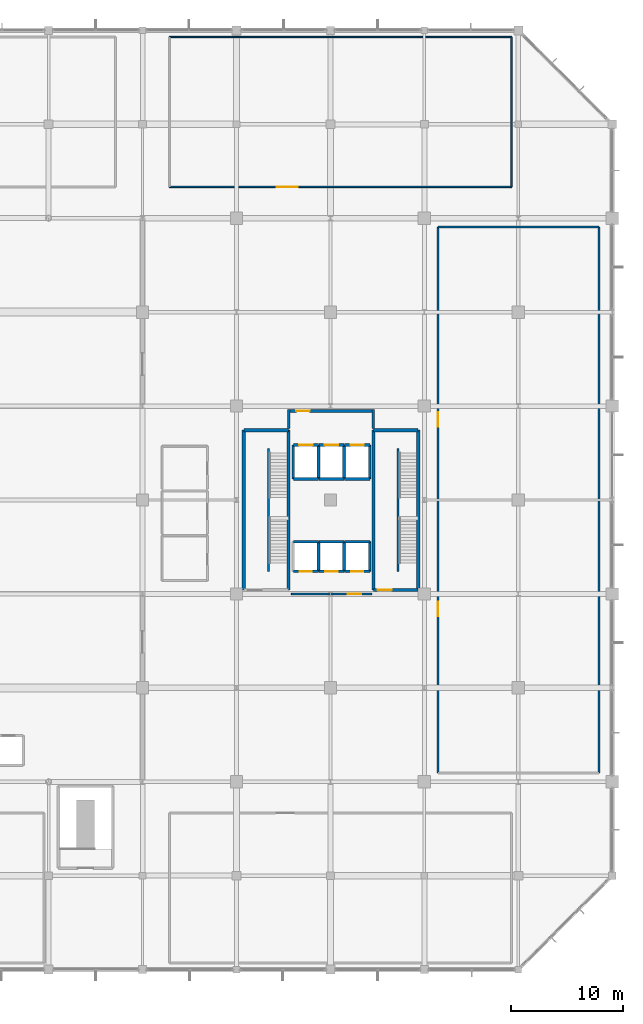
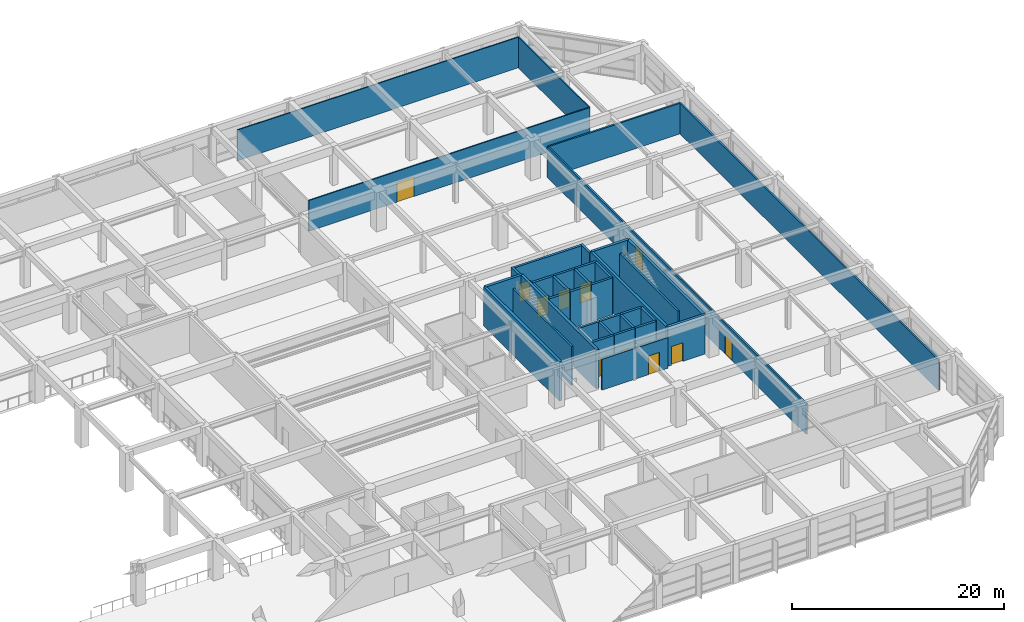
# One storey, part 47 of 56: 38 walls, 12 doors, 12 openings.
"""IFC4 building model written with IfcOpenShell, lengths in metres."""

from ifc_helpers import new_model, si_unit, direction, frame, frame_2d, origin, place, context, subcontext, project, spatial, rectangle, extrude, material, layer, layer_set, type_object, element, fill, save


model = new_model("IFC4")

# Units and contexts
model_context = context("Model", 3, precision=1e-05, world=origin(), true_north=direction((0.0, 1.0)))
body_context = subcontext(model_context, "Body", "Model", "MODEL_VIEW")
ifc_project = project(units=[si_unit("LENGTHUNIT", "METRE"), si_unit("AREAUNIT", "SQUARE_METRE"), si_unit("VOLUMEUNIT", "CUBIC_METRE"), si_unit("PLANEANGLEUNIT", "RADIAN"), si_unit("MASSUNIT", "GRAM", prefix="KILO")], contexts=[model_context])

# Site, building, storey
site_placement = place(None, origin())
site = spatial("IfcSite", under=ifc_project, at=site_placement, CompositionType="ELEMENT")
building_placement = place(site_placement, origin())
building = spatial("IfcBuilding", under=site, at=building_placement, Name="Xuanlan Plaza Opera House", CompositionType="ELEMENT")
storey_placement = place(building_placement, frame((0.0, 0.0, 18.89990234375)))
storey = spatial("IfcBuildingStorey", under=building, at=storey_placement, Name="L04", CompositionType="ELEMENT", Elevation=18.89990234375)

# Wall
ifc_material_1 = material(Name="Gypsum Board and Galvanised Steel Studs", Category="gypsum")
ifc_layer_1 = layer(ifc_material_1, 0.179931640625)
ifc_layer_set_1 = layer_set([ifc_layer_1], Name="Gypsum Board and Galvanised Steel Studs")
wall_type_1 = type_object("IfcWallType", Name="INT-WL-PW-02", PredefinedType="PARTITIONING", material=ifc_layer_set_1)
wall_1_placement = place(storey_placement, frame((152.39990234375, 83.199951171875, 0.0), z_axis=(0.0, 0.0, 1.0), x_axis=(1.0, 0.0, 0.0)))
element("IfcWall", 1, at=wall_1_placement, inside=storey, type_object=wall_type_1, Name="Performing Arts Administration Office Wall North", PredefinedType="PARTITIONING", context=body_context, shape_type="SweptSolid", body=[
    extrude(rectangle(XDim=14.400146484375, YDim=0.179931640625, at=frame_2d((7.2001953125, 0.0))), origin(), (0.0, 0.0, 1.0), 3.5400390625),
])

# Wall, openings, doors
wall_2_placement = place(storey_placement, frame((152.39990234375, 34.39990234375, 0.0), z_axis=(0.0, 0.0, 1.0), x_axis=(0.0, 1.0, 0.0)))
wall_2 = element("IfcWall", 2, at=wall_2_placement, inside=storey, type_object=wall_type_1, Name="Performing Arts Administration Office Wall West", PredefinedType="PARTITIONING", context=body_context, shape_type="SweptSolid", body=[
    extrude(rectangle(XDim=48.800048828125, YDim=0.179931640625, at=frame_2d((24.39990234375, 0.0))), origin(), (0.0, 0.0, 1.0), 3.5400390625),
])
opening_1_placement = place(wall_2_placement, frame((14.0, 0.0, 0.0)))
opening_1 = element("IfcOpeningElement", 3, at=opening_1_placement, cuts=wall_2, Name="Opening D-11", PredefinedType="OPENING", context=body_context, shape_type="SweptSolid", body=[
    extrude(rectangle(XDim=1.280029296875, YDim=2.159912109375, at=frame_2d((0.64013671875, 1.080078125))), frame((0.0, 0.099853515625, 0.0), z_axis=(0.0, -1.0, 0.0), x_axis=(1.0, 0.0, 0.0)), (0.0, 0.0, 1.0), 0.199951171875),
])
opening_2_placement = place(wall_2_placement, frame((30.949951171875, 0.0, 0.0)))
opening_2 = element("IfcOpeningElement", 4, at=opening_2_placement, cuts=wall_2, Name="Opening D-11", PredefinedType="OPENING", context=body_context, shape_type="SweptSolid", body=[
    extrude(rectangle(XDim=1.280029296875, YDim=2.159912109375, at=frame_2d((0.64013671875, 1.080078125))), frame((0.0, 0.099853515625, 0.0), z_axis=(0.0, -1.0, 0.0), x_axis=(1.0, 0.0, 0.0)), (0.0, 0.0, 1.0), 0.199951171875),
])
ifc_material_2 = material(Name="Walnut Hardwood Timber", Category="wood")
door_type_1 = type_object("IfcDoorType", Name="INT-DR-D-11", OperationType="NOTDEFINED", PredefinedType="DOOR", material=ifc_material_2)
door_1_placement = place(opening_1_placement, origin())
door_1 = element("IfcDoor", 5, at=door_1_placement, inside=storey, type_object=door_type_1, Name="Performing Arts Administration Office Door 1", OperationType="SINGLE_SWING_LEFT", OverallHeight=2.159912109375, OverallWidth=1.280029296875, PredefinedType="DOOR", context=body_context, shape_type="SweptSolid", body=[
    extrude(rectangle(XDim=1.280029296875, YDim=2.159912109375, at=frame_2d((0.64013671875, 1.080078125))), frame((0.0, 0.02490234375, 0.0), z_axis=(0.0, -1.0, 0.0), x_axis=(1.0, 0.0, 0.0)), (0.0, 0.0, 1.0), 0.050048828125),
])
fill(opening_1, door_1)
door_2_placement = place(opening_2_placement, origin())
door_2 = element("IfcDoor", 6, at=door_2_placement, inside=storey, type_object=door_type_1, Name="Performing Arts Administration Office Door 2", OperationType="SINGLE_SWING_RIGHT", OverallHeight=2.159912109375, OverallWidth=1.280029296875, PredefinedType="DOOR", context=body_context, shape_type="SweptSolid", body=[
    extrude(rectangle(XDim=1.280029296875, YDim=2.159912109375, at=frame_2d((0.64013671875, 1.080078125))), frame((0.0, 0.02490234375, 0.0), z_axis=(0.0, -1.0, 0.0), x_axis=(1.0, 0.0, 0.0)), (0.0, 0.0, 1.0), 0.050048828125),
])
fill(opening_2, door_2)

# Wall
wall_3_placement = place(storey_placement, frame((166.800048828125, 34.39990234375, 0.0), z_axis=(0.0, 0.0, 1.0), x_axis=(0.0, 1.0, 0.0)))
element("IfcWall", 7, at=wall_3_placement, inside=storey, type_object=wall_type_1, Name="Performing Arts Administration Office Wall East", PredefinedType="PARTITIONING", context=body_context, shape_type="SweptSolid", body=[
    extrude(rectangle(XDim=48.800048828125, YDim=0.179931640625, at=frame_2d((24.39990234375, 0.0))), origin(), (0.0, 0.0, 1.0), 3.5400390625),
])

# Wall, opening, door
ifc_layer_2 = layer(ifc_material_1, 0.1201171875)
ifc_layer_set_2 = layer_set([ifc_layer_2], Name="Gypsum Board and Galvanised Steel Studs")
wall_type_2 = type_object("IfcWallType", Name="INT-WL-PW-04", PredefinedType="PARTITIONING", material=ifc_layer_set_2)
wall_4_placement = place(storey_placement, frame((128.39990234375, 86.800048828125, 0.0), z_axis=(0.0, 0.0, 1.0), x_axis=(1.0, 0.0, 0.0)))
wall_4 = element("IfcWall", 8, at=wall_4_placement, inside=storey, type_object=wall_type_2, Name="Arts Endowment Archive Wall South", PredefinedType="PARTITIONING", context=body_context, shape_type="SweptSolid", body=[
    extrude(rectangle(XDim=30.60009765625, YDim=0.1201171875, at=frame_2d((15.300048828125, 0.0))), origin(), (0.0, 0.0, 1.0), 3.5400390625),
])
opening_3_placement = place(wall_4_placement, frame((9.60009765625, 0.0, 0.0)))
opening_3 = element("IfcOpeningElement", 9, at=opening_3_placement, cuts=wall_4, Name="Opening D-15", PredefinedType="OPENING", context=body_context, shape_type="SweptSolid", body=[
    extrude(rectangle(XDim=1.860107421875, YDim=2.260009765625, at=frame_2d((0.93017578125, 1.1298828125))), frame((0.0, 0.070068359375, 0.0), z_axis=(0.0, -1.0, 0.0), x_axis=(1.0, 0.0, 0.0)), (0.0, 0.0, 1.0), 0.14013671875),
])
door_type_2 = type_object("IfcDoorType", Name="INT-DR-D-15", OperationType="DOUBLE_DOOR_SINGLE_SWING", PredefinedType="DOOR", material=ifc_material_2)
door_3_placement = place(opening_3_placement, origin())
door_3 = element("IfcDoor", 10, at=door_3_placement, inside=storey, type_object=door_type_2, Name="Arts Endowment Archive Door 1", OperationType="DOUBLE_DOOR_SINGLE_SWING", OverallHeight=2.260009765625, OverallWidth=1.860107421875, PredefinedType="DOOR", context=body_context, shape_type="SweptSolid", body=[
    extrude(rectangle(XDim=1.860107421875, YDim=2.260009765625, at=frame_2d((0.93017578125, 1.1298828125))), frame((0.0, 0.02490234375, 0.0), z_axis=(0.0, -1.0, 0.0), x_axis=(1.0, 0.0, 0.0)), (0.0, 0.0, 1.0), 0.050048828125),
])
fill(opening_3, door_3)

# Walls
wall_5_placement = place(storey_placement, frame((128.39990234375, 100.199951171875, 0.0), z_axis=(0.0, 0.0, 1.0), x_axis=(1.0, 0.0, 0.0)))
element("IfcWall", 11, at=wall_5_placement, inside=storey, type_object=wall_type_2, Name="Arts Endowment Archive Wall North", PredefinedType="PARTITIONING", context=body_context, shape_type="SweptSolid", body=[
    extrude(rectangle(XDim=30.60009765625, YDim=0.1201171875, at=frame_2d((15.300048828125, 0.0))), origin(), (0.0, 0.0, 1.0), 3.5400390625),
])
wall_6_placement = place(storey_placement, frame((159.0, 86.800048828125, 0.0), z_axis=(0.0, 0.0, 1.0), x_axis=(0.0, 1.0, 0.0)))
element("IfcWall", 12, at=wall_6_placement, inside=storey, type_object=wall_type_2, Name="Arts Endowment Archive Wall East", PredefinedType="PARTITIONING", context=body_context, shape_type="SweptSolid", body=[
    extrude(rectangle(XDim=13.39990234375, YDim=0.1201171875, at=frame_2d((6.699951171875, 0.0))), origin(), (0.0, 0.0, 1.0), 3.5400390625),
])

# Wall, opening, door
ifc_layer_3 = layer(ifc_material_1, 0.159912109375)
ifc_layer_set_3 = layer_set([ifc_layer_3], Name="Gypsum Board and Galvanised Steel Studs")
wall_type_3 = type_object("IfcWallType", Name="INT-WL-PW-05", PredefinedType="PARTITIONING", material=ifc_layer_set_3)
wall_7_placement = place(storey_placement, frame((139.300048828125, 50.39990234375, 0.0), z_axis=(0.0, 0.0, 1.0), x_axis=(1.0, 0.0, 0.0)))
wall_7 = element("IfcWall", 13, at=wall_7_placement, inside=storey, type_object=wall_type_3, Name="Tower Lift Lobby Wall South", PredefinedType="PARTITIONING", context=body_context, shape_type="SweptSolid", body=[
    extrude(rectangle(XDim=7.199951171875, YDim=0.159912109375, at=frame_2d((3.60009765625, 0.0))), origin(), (0.0, 0.0, 1.0), 3.5400390625),
])
opening_4_placement = place(wall_7_placement, frame((5.050048828125, 0.0, 0.0)))
opening_4 = element("IfcOpeningElement", 14, at=opening_4_placement, cuts=wall_7, Name="Opening FD-02", PredefinedType="OPENING", context=body_context, shape_type="SweptSolid", body=[
    extrude(rectangle(XDim=1.199951171875, YDim=2.14990234375, at=frame_2d((0.60009765625, 1.074951171875))), frame((0.0, 0.08984375, 0.0), z_axis=(0.0, -1.0, 0.0), x_axis=(1.0, 0.0, 0.0)), (0.0, 0.0, 1.0), 0.179931640625),
])
ifc_material_3 = material(Name="Galvanised Steel Q235B", Category="steel")
door_type_3 = type_object("IfcDoorType", Name="INT-DR-FD-02", OperationType="NOTDEFINED", PredefinedType="DOOR", material=ifc_material_3)
door_4_placement = place(opening_4_placement, frame((1.199951171875, 0.0, 0.0), z_axis=(0.0, 0.0, 1.0), x_axis=(-1.0, 0.0, 0.0)))
door_4 = element("IfcDoor", 15, at=door_4_placement, inside=storey, type_object=door_type_3, Name="Tower Lift Lobby Door 1", OperationType="SINGLE_SWING_RIGHT", OverallHeight=2.14990234375, OverallWidth=1.199951171875, PredefinedType="DOOR", context=body_context, shape_type="SweptSolid", body=[
    extrude(rectangle(XDim=1.199951171875, YDim=2.14990234375, at=frame_2d((0.60009765625, 1.074951171875))), frame((0.0, 0.02490234375, 0.0), z_axis=(0.0, -1.0, 0.0), x_axis=(1.0, 0.0, 0.0)), (0.0, 0.0, 1.0), 0.050048828125),
])
fill(opening_4, door_4)

# Wall
ifc_material_4 = material(Name="Concrete C40", Category="concrete")
ifc_layer_4 = layer(ifc_material_4, 0.25)
ifc_layer_set_4 = layer_set([ifc_layer_4], Name="Concrete C40")
wall_type_4 = type_object("IfcWallType", Name="INT-WL-SW-LF1", PredefinedType="SHEAR", material=ifc_layer_set_4)
wall_8_placement = place(storey_placement, frame((139.47509765625, 60.675048828125, 0.0), z_axis=(0.0, 0.0, 1.0), x_axis=(1.0, 0.0, 0.0)))
element("IfcWall", 16, at=wall_8_placement, inside=storey, type_object=wall_type_4, Name="Lift Shaft Wall LF-FF1 L04 South", PredefinedType="SHEAR", context=body_context, shape_type="SweptSolid", body=[
    extrude(rectangle(XDim=2.25, YDim=0.25, at=frame_2d((1.125, 0.0))), origin(), (0.0, 0.0, 1.0), 4.239990234375),
])

# Wall, opening, door
wall_9_placement = place(storey_placement, frame((139.47509765625, 63.72509765625, 0.0), z_axis=(0.0, 0.0, 1.0), x_axis=(1.0, 0.0, 0.0)))
wall_9 = element("IfcWall", 17, at=wall_9_placement, inside=storey, type_object=wall_type_4, Name="Lift Shaft Wall LF-FF1 L04 North", PredefinedType="SHEAR", context=body_context, shape_type="SweptSolid", body=[
    extrude(rectangle(XDim=2.25, YDim=0.25, at=frame_2d((1.125, 0.0))), origin(), (0.0, 0.0, 1.0), 4.239990234375),
])
opening_5_placement = place(wall_9_placement, frame((0.52490234375, 0.0, 0.0)))
opening_5 = element("IfcOpeningElement", 18, at=opening_5_placement, cuts=wall_9, Name="Opening LD-FF1-L04", PredefinedType="OPENING", context=body_context, shape_type="SweptSolid", body=[
    extrude(rectangle(XDim=1.199951171875, YDim=2.179931640625, at=frame_2d((0.60009765625, 1.08984375))), frame((0.0, 0.135009765625, 0.0), z_axis=(0.0, -1.0, 0.0), x_axis=(1.0, 0.0, 0.0)), (0.0, 0.0, 1.0), 0.27001953125),
])
ifc_material_5 = material(Name="Stainless Steel S30408", Category="steel")
door_type_4 = type_object("IfcDoorType", Name="INT-DR-LD-02", OperationType="DOUBLE_DOOR_SLIDING", PredefinedType="DOOR", material=ifc_material_5)
door_5_placement = place(opening_5_placement, origin())
door_5 = element("IfcDoor", 19, at=door_5_placement, inside=storey, type_object=door_type_4, Name="Lift Sliding Landing Door LF-FF1 L04", OperationType="DOUBLE_DOOR_SLIDING", OverallHeight=2.179931640625, OverallWidth=1.199951171875, PredefinedType="DOOR", context=body_context, shape_type="SweptSolid", body=[
    extrude(rectangle(XDim=1.199951171875, YDim=2.179931640625, at=frame_2d((0.60009765625, 1.08984375))), frame((0.0, 0.02490234375, 0.0), z_axis=(0.0, -1.0, 0.0), x_axis=(1.0, 0.0, 0.0)), (0.0, 0.0, 1.0), 0.050048828125),
])
fill(opening_5, door_5)

# Walls
for number, where, z_axis, x_axis, name in (
    (20, (139.47509765625, 60.675048828125, 0.0), (0.0, 0.0, 1.0), (0.0, 1.0, 0.0), "Lift Shaft Wall LF-FF1 L04 West"),
    (21, (141.72509765625, 60.675048828125, 0.0), (0.0, 0.0, 1.0), (0.0, 1.0, 0.0), "Lift Shaft Wall LF-FF1 L04 East"),
):
    element("IfcWall", number, at=place(storey_placement, frame(where, z_axis=z_axis, x_axis=x_axis)), inside=storey, type_object=wall_type_4, Name=name, PredefinedType="SHEAR", context=body_context, shape_type="SweptSolid", body=[
        extrude(rectangle(XDim=3.050048828125, YDim=0.25, at=frame_2d((1.52490234375, 0.0))), origin(), (0.0, 0.0, 1.0), 4.239990234375),
    ])
wall_10_placement = place(storey_placement, frame((141.77490234375, 60.675048828125, 0.0), z_axis=(0.0, 0.0, 1.0), x_axis=(1.0, 0.0, 0.0)))
element("IfcWall", 22, at=wall_10_placement, inside=storey, type_object=wall_type_4, Name="Lift Shaft Wall LF-FF2 L04 South", PredefinedType="SHEAR", context=body_context, shape_type="SweptSolid", body=[
    extrude(rectangle(XDim=2.25, YDim=0.25, at=frame_2d((1.125, 0.0))), origin(), (0.0, 0.0, 1.0), 4.239990234375),
])

# Wall, opening, door
wall_11_placement = place(storey_placement, frame((141.77490234375, 63.72509765625, 0.0), z_axis=(0.0, 0.0, 1.0), x_axis=(1.0, 0.0, 0.0)))
wall_11 = element("IfcWall", 23, at=wall_11_placement, inside=storey, type_object=wall_type_4, Name="Lift Shaft Wall LF-FF2 L04 North", PredefinedType="SHEAR", context=body_context, shape_type="SweptSolid", body=[
    extrude(rectangle(XDim=2.25, YDim=0.25, at=frame_2d((1.125, 0.0))), origin(), (0.0, 0.0, 1.0), 4.239990234375),
])
opening_6_placement = place(wall_11_placement, frame((0.52490234375, 0.0, 0.0)))
opening_6 = element("IfcOpeningElement", 24, at=opening_6_placement, cuts=wall_11, Name="Opening LD-FF2-L04", PredefinedType="OPENING", context=body_context, shape_type="SweptSolid", body=[
    extrude(rectangle(XDim=1.199951171875, YDim=2.179931640625, at=frame_2d((0.60009765625, 1.08984375))), frame((0.0, 0.135009765625, 0.0), z_axis=(0.0, -1.0, 0.0), x_axis=(1.0, 0.0, 0.0)), (0.0, 0.0, 1.0), 0.27001953125),
])
door_6_placement = place(opening_6_placement, origin())
door_6 = element("IfcDoor", 25, at=door_6_placement, inside=storey, type_object=door_type_4, Name="Lift Sliding Landing Door LF-FF2 L04", OperationType="DOUBLE_DOOR_SLIDING", OverallHeight=2.179931640625, OverallWidth=1.199951171875, PredefinedType="DOOR", context=body_context, shape_type="SweptSolid", body=[
    extrude(rectangle(XDim=1.199951171875, YDim=2.179931640625, at=frame_2d((0.60009765625, 1.08984375))), frame((0.0, 0.02490234375, 0.0), z_axis=(0.0, -1.0, 0.0), x_axis=(1.0, 0.0, 0.0)), (0.0, 0.0, 1.0), 0.050048828125),
])
fill(opening_6, door_6)

# Walls
wall_12_placement = place(storey_placement, frame((144.02490234375, 60.675048828125, 0.0), z_axis=(0.0, 0.0, 1.0), x_axis=(0.0, 1.0, 0.0)))
element("IfcWall", 26, at=wall_12_placement, inside=storey, type_object=wall_type_4, Name="Lift Shaft Wall LF-FF2 L04 East", PredefinedType="SHEAR", context=body_context, shape_type="SweptSolid", body=[
    extrude(rectangle(XDim=3.050048828125, YDim=0.25, at=frame_2d((1.52490234375, 0.0))), origin(), (0.0, 0.0, 1.0), 4.239990234375),
])
wall_13_placement = place(storey_placement, frame((144.074951171875, 60.675048828125, 0.0), z_axis=(0.0, 0.0, 1.0), x_axis=(1.0, 0.0, 0.0)))
element("IfcWall", 27, at=wall_13_placement, inside=storey, type_object=wall_type_4, Name="Lift Shaft Wall LF-FF3 L04 South", PredefinedType="SHEAR", context=body_context, shape_type="SweptSolid", body=[
    extrude(rectangle(XDim=2.25, YDim=0.25, at=frame_2d((1.125, 0.0))), origin(), (0.0, 0.0, 1.0), 4.239990234375),
])

# Wall, opening, door
wall_14_placement = place(storey_placement, frame((144.074951171875, 63.72509765625, 0.0), z_axis=(0.0, 0.0, 1.0), x_axis=(1.0, 0.0, 0.0)))
wall_14 = element("IfcWall", 28, at=wall_14_placement, inside=storey, type_object=wall_type_4, Name="Lift Shaft Wall LF-FF3 L04 North", PredefinedType="SHEAR", context=body_context, shape_type="SweptSolid", body=[
    extrude(rectangle(XDim=2.25, YDim=0.25, at=frame_2d((1.125, 0.0))), origin(), (0.0, 0.0, 1.0), 4.239990234375),
])
opening_7_placement = place(wall_14_placement, frame((0.52490234375, 0.0, 0.0)))
opening_7 = element("IfcOpeningElement", 29, at=opening_7_placement, cuts=wall_14, Name="Opening LD-FF3-L04", PredefinedType="OPENING", context=body_context, shape_type="SweptSolid", body=[
    extrude(rectangle(XDim=1.199951171875, YDim=2.179931640625, at=frame_2d((0.60009765625, 1.08984375))), frame((0.0, 0.135009765625, 0.0), z_axis=(0.0, -1.0, 0.0), x_axis=(1.0, 0.0, 0.0)), (0.0, 0.0, 1.0), 0.27001953125),
])
door_7_placement = place(opening_7_placement, origin())
door_7 = element("IfcDoor", 30, at=door_7_placement, inside=storey, type_object=door_type_4, Name="Lift Sliding Landing Door LF-FF3 L04", OperationType="DOUBLE_DOOR_SLIDING", OverallHeight=2.179931640625, OverallWidth=1.199951171875, PredefinedType="DOOR", context=body_context, shape_type="SweptSolid", body=[
    extrude(rectangle(XDim=1.199951171875, YDim=2.179931640625, at=frame_2d((0.60009765625, 1.08984375))), frame((0.0, 0.02490234375, 0.0), z_axis=(0.0, -1.0, 0.0), x_axis=(1.0, 0.0, 0.0)), (0.0, 0.0, 1.0), 0.050048828125),
])
fill(opening_7, door_7)

# Wall
wall_15_placement = place(storey_placement, frame((146.324951171875, 60.675048828125, 0.0), z_axis=(0.0, 0.0, 1.0), x_axis=(0.0, 1.0, 0.0)))
element("IfcWall", 31, at=wall_15_placement, inside=storey, type_object=wall_type_4, Name="Lift Shaft Wall LF-FF3 L04 East", PredefinedType="SHEAR", context=body_context, shape_type="SweptSolid", body=[
    extrude(rectangle(XDim=3.050048828125, YDim=0.25, at=frame_2d((1.52490234375, 0.0))), origin(), (0.0, 0.0, 1.0), 4.239990234375),
])

# Wall, opening, door
wall_16_placement = place(storey_placement, frame((139.47509765625, 52.425048828125, 0.0), z_axis=(0.0, 0.0, 1.0), x_axis=(1.0, 0.0, 0.0)))
wall_16 = element("IfcWall", 32, at=wall_16_placement, inside=storey, type_object=wall_type_4, Name="Lift Shaft Wall LF-P1 L04 South", PredefinedType="SHEAR", context=body_context, shape_type="SweptSolid", body=[
    extrude(rectangle(XDim=2.25, YDim=0.25, at=frame_2d((1.125, 0.0))), origin(), (0.0, 0.0, 1.0), 4.239990234375),
])
opening_8_placement = place(wall_16_placement, frame((0.574951171875, 0.0, 0.0)))
opening_8 = element("IfcOpeningElement", 33, at=opening_8_placement, cuts=wall_16, Name="Opening LD-P1-L04", PredefinedType="OPENING", context=body_context, shape_type="SweptSolid", body=[
    extrude(rectangle(XDim=1.10009765625, YDim=2.14990234375, at=frame_2d((0.550048828125, 1.074951171875))), frame((0.0, 0.135009765625, 0.0), z_axis=(0.0, -1.0, 0.0), x_axis=(1.0, 0.0, 0.0)), (0.0, 0.0, 1.0), 0.27001953125),
])
door_type_5 = type_object("IfcDoorType", Name="INT-DR-LD-01", OperationType="DOUBLE_DOOR_SLIDING", PredefinedType="DOOR", material=ifc_material_5)
door_8_placement = place(opening_8_placement, origin())
door_8 = element("IfcDoor", 34, at=door_8_placement, inside=storey, type_object=door_type_5, Name="Lift Sliding Landing Door LF-P1 L04", OperationType="DOUBLE_DOOR_SLIDING", OverallHeight=2.14990234375, OverallWidth=1.10009765625, PredefinedType="DOOR", context=body_context, shape_type="SweptSolid", body=[
    extrude(rectangle(XDim=1.10009765625, YDim=2.14990234375, at=frame_2d((0.550048828125, 1.074951171875))), frame((0.0, 0.02490234375, 0.0), z_axis=(0.0, -1.0, 0.0), x_axis=(1.0, 0.0, 0.0)), (0.0, 0.0, 1.0), 0.050048828125),
])
fill(opening_8, door_8)

# Walls
wall_17_placement = place(storey_placement, frame((139.47509765625, 55.074951171875, 0.0), z_axis=(0.0, 0.0, 1.0), x_axis=(1.0, 0.0, 0.0)))
element("IfcWall", 35, at=wall_17_placement, inside=storey, type_object=wall_type_4, Name="Lift Shaft Wall LF-P1 L04 North", PredefinedType="SHEAR", context=body_context, shape_type="SweptSolid", body=[
    extrude(rectangle(XDim=2.25, YDim=0.25, at=frame_2d((1.125, 0.0))), origin(), (0.0, 0.0, 1.0), 4.239990234375),
])
wall_18_placement = place(storey_placement, frame((141.72509765625, 52.425048828125, 0.0), z_axis=(0.0, 0.0, 1.0), x_axis=(0.0, 1.0, 0.0)))
element("IfcWall", 36, at=wall_18_placement, inside=storey, type_object=wall_type_4, Name="Lift Shaft Wall LF-P1 L04 East", PredefinedType="SHEAR", context=body_context, shape_type="SweptSolid", body=[
    extrude(rectangle(XDim=2.64990234375, YDim=0.25, at=frame_2d((1.324951171875, 0.0))), origin(), (0.0, 0.0, 1.0), 4.239990234375),
])

# Wall, opening, door
wall_19_placement = place(storey_placement, frame((141.77490234375, 52.425048828125, 0.0), z_axis=(0.0, 0.0, 1.0), x_axis=(1.0, 0.0, 0.0)))
wall_19 = element("IfcWall", 37, at=wall_19_placement, inside=storey, type_object=wall_type_4, Name="Lift Shaft Wall LF-P2 L04 South", PredefinedType="SHEAR", context=body_context, shape_type="SweptSolid", body=[
    extrude(rectangle(XDim=2.25, YDim=0.25, at=frame_2d((1.125, 0.0))), origin(), (0.0, 0.0, 1.0), 4.239990234375),
])
opening_9_placement = place(wall_19_placement, frame((0.574951171875, 0.0, 0.0)))
opening_9 = element("IfcOpeningElement", 38, at=opening_9_placement, cuts=wall_19, Name="Opening LD-P2-L04", PredefinedType="OPENING", context=body_context, shape_type="SweptSolid", body=[
    extrude(rectangle(XDim=1.10009765625, YDim=2.14990234375, at=frame_2d((0.550048828125, 1.074951171875))), frame((0.0, 0.135009765625, 0.0), z_axis=(0.0, -1.0, 0.0), x_axis=(1.0, 0.0, 0.0)), (0.0, 0.0, 1.0), 0.27001953125),
])
door_9_placement = place(opening_9_placement, origin())
door_9 = element("IfcDoor", 39, at=door_9_placement, inside=storey, type_object=door_type_5, Name="Lift Sliding Landing Door LF-P2 L04", OperationType="DOUBLE_DOOR_SLIDING", OverallHeight=2.14990234375, OverallWidth=1.10009765625, PredefinedType="DOOR", context=body_context, shape_type="SweptSolid", body=[
    extrude(rectangle(XDim=1.10009765625, YDim=2.14990234375, at=frame_2d((0.550048828125, 1.074951171875))), frame((0.0, 0.02490234375, 0.0), z_axis=(0.0, -1.0, 0.0), x_axis=(1.0, 0.0, 0.0)), (0.0, 0.0, 1.0), 0.050048828125),
])
fill(opening_9, door_9)

# Walls
wall_20_placement = place(storey_placement, frame((141.77490234375, 55.074951171875, 0.0), z_axis=(0.0, 0.0, 1.0), x_axis=(1.0, 0.0, 0.0)))
element("IfcWall", 40, at=wall_20_placement, inside=storey, type_object=wall_type_4, Name="Lift Shaft Wall LF-P2 L04 North", PredefinedType="SHEAR", context=body_context, shape_type="SweptSolid", body=[
    extrude(rectangle(XDim=2.25, YDim=0.25, at=frame_2d((1.125, 0.0))), origin(), (0.0, 0.0, 1.0), 4.239990234375),
])
wall_21_placement = place(storey_placement, frame((144.02490234375, 52.425048828125, 0.0), z_axis=(0.0, 0.0, 1.0), x_axis=(0.0, 1.0, 0.0)))
element("IfcWall", 41, at=wall_21_placement, inside=storey, type_object=wall_type_4, Name="Lift Shaft Wall LF-P2 L04 East", PredefinedType="SHEAR", context=body_context, shape_type="SweptSolid", body=[
    extrude(rectangle(XDim=2.64990234375, YDim=0.25, at=frame_2d((1.324951171875, 0.0))), origin(), (0.0, 0.0, 1.0), 4.239990234375),
])

# Wall, opening, door
wall_22_placement = place(storey_placement, frame((144.074951171875, 52.425048828125, 0.0), z_axis=(0.0, 0.0, 1.0), x_axis=(1.0, 0.0, 0.0)))
wall_22 = element("IfcWall", 42, at=wall_22_placement, inside=storey, type_object=wall_type_4, Name="Lift Shaft Wall LF-P3 L04 South", PredefinedType="SHEAR", context=body_context, shape_type="SweptSolid", body=[
    extrude(rectangle(XDim=2.25, YDim=0.25, at=frame_2d((1.125, 0.0))), origin(), (0.0, 0.0, 1.0), 4.239990234375),
])
opening_10_placement = place(wall_22_placement, frame((0.574951171875, 0.0, 0.0)))
opening_10 = element("IfcOpeningElement", 43, at=opening_10_placement, cuts=wall_22, Name="Opening LD-P3-L04", PredefinedType="OPENING", context=body_context, shape_type="SweptSolid", body=[
    extrude(rectangle(XDim=1.10009765625, YDim=2.14990234375, at=frame_2d((0.550048828125, 1.074951171875))), frame((0.0, 0.135009765625, 0.0), z_axis=(0.0, -1.0, 0.0), x_axis=(1.0, 0.0, 0.0)), (0.0, 0.0, 1.0), 0.27001953125),
])
door_10_placement = place(opening_10_placement, origin())
door_10 = element("IfcDoor", 44, at=door_10_placement, inside=storey, type_object=door_type_5, Name="Lift Sliding Landing Door LF-P3 L04", OperationType="DOUBLE_DOOR_SLIDING", OverallHeight=2.14990234375, OverallWidth=1.10009765625, PredefinedType="DOOR", context=body_context, shape_type="SweptSolid", body=[
    extrude(rectangle(XDim=1.10009765625, YDim=2.14990234375, at=frame_2d((0.550048828125, 1.074951171875))), frame((0.0, 0.02490234375, 0.0), z_axis=(0.0, -1.0, 0.0), x_axis=(1.0, 0.0, 0.0)), (0.0, 0.0, 1.0), 0.050048828125),
])
fill(opening_10, door_10)

# Walls
wall_23_placement = place(storey_placement, frame((144.074951171875, 55.074951171875, 0.0), z_axis=(0.0, 0.0, 1.0), x_axis=(1.0, 0.0, 0.0)))
element("IfcWall", 45, at=wall_23_placement, inside=storey, type_object=wall_type_4, Name="Lift Shaft Wall LF-P3 L04 North", PredefinedType="SHEAR", context=body_context, shape_type="SweptSolid", body=[
    extrude(rectangle(XDim=2.25, YDim=0.25, at=frame_2d((1.125, 0.0))), origin(), (0.0, 0.0, 1.0), 4.239990234375),
])
wall_24_placement = place(storey_placement, frame((146.324951171875, 52.425048828125, 0.0), z_axis=(0.0, 0.0, 1.0), x_axis=(0.0, 1.0, 0.0)))
element("IfcWall", 46, at=wall_24_placement, inside=storey, type_object=wall_type_4, Name="Lift Shaft Wall LF-P3 L04 East", PredefinedType="SHEAR", context=body_context, shape_type="SweptSolid", body=[
    extrude(rectangle(XDim=2.64990234375, YDim=0.25, at=frame_2d((1.324951171875, 0.0))), origin(), (0.0, 0.0, 1.0), 4.239990234375),
])
for number, where, z_axis, x_axis, name in (
    (47, (139.074951171875, 65.199951171875, 0.0), (0.0, 0.0, 1.0), (0.0, 1.0, 0.0), "Firefighting Lift Lobby Enclosure Wall L04 W"),
    (48, (146.625, 65.199951171875, 0.0), (0.0, 0.0, 1.0), (0.0, 1.0, 0.0), "Firefighting Lift Lobby Enclosure Wall L04 E"),
):
    element("IfcWall", number, at=place(storey_placement, frame(where, z_axis=z_axis, x_axis=x_axis)), inside=storey, type_object=wall_type_4, Name=name, PredefinedType="SHEAR", context=body_context, shape_type="SweptSolid", body=[
        extrude(rectangle(XDim=1.675048828125, YDim=0.25, at=frame_2d((0.83740234375, 0.0))), origin(), (0.0, 0.0, 1.0), 4.239990234375),
    ])

# Wall, opening, door
wall_25_placement = place(storey_placement, frame((139.199951171875, 66.75, 0.0), z_axis=(0.0, 0.0, 1.0), x_axis=(1.0, 0.0, 0.0)))
wall_25 = element("IfcWall", 49, at=wall_25_placement, inside=storey, type_object=wall_type_4, Name="Firefighting Lift Lobby Wall North", PredefinedType="SHEAR", context=body_context, shape_type="SweptSolid", body=[
    extrude(rectangle(XDim=7.300048828125, YDim=0.25, at=frame_2d((3.64990234375, 0.0))), origin(), (0.0, 0.0, 1.0), 4.22021484375),
])
opening_11_placement = place(wall_25_placement, frame((0.550048828125, 0.0, 0.0)))
opening_11 = element("IfcOpeningElement", 50, at=opening_11_placement, cuts=wall_25, Name="Opening FD-02", PredefinedType="OPENING", context=body_context, shape_type="SweptSolid", body=[
    extrude(rectangle(XDim=1.199951171875, YDim=2.14990234375, at=frame_2d((0.60009765625, 1.074951171875))), frame((0.0, 0.135009765625, 0.0), z_axis=(0.0, -1.0, 0.0), x_axis=(1.0, 0.0, 0.0)), (0.0, 0.0, 1.0), 0.27001953125),
])
door_11_placement = place(opening_11_placement, origin())
door_11 = element("IfcDoor", 51, at=door_11_placement, inside=storey, type_object=door_type_3, Name="Firefighting Lift Lobby Door 1", OperationType="SINGLE_SWING_RIGHT", OverallHeight=2.14990234375, OverallWidth=1.199951171875, PredefinedType="DOOR", context=body_context, shape_type="SweptSolid", body=[
    extrude(rectangle(XDim=1.199951171875, YDim=2.14990234375, at=frame_2d((0.60009765625, 1.074951171875))), frame((0.0, 0.02490234375, 0.0), z_axis=(0.0, -1.0, 0.0), x_axis=(1.0, 0.0, 0.0)), (0.0, 0.0, 1.0), 0.050048828125),
])
fill(opening_11, door_11)

# Walls
ifc_layer_5 = layer(ifc_material_4, 0.199951171875)
ifc_layer_set_5 = layer_set([ifc_layer_5], Name="Concrete C40")
wall_type_5 = type_object("IfcWallType", Name="INT-WL-SW-SPN", PredefinedType="SHEAR", material=ifc_layer_set_5)
for number, where, z_axis, x_axis, name in (
    (52, (137.25, 52.39990234375, 0.0), (0.0, 0.0, 1.0), (0.0, 1.0, 0.0), "Stair Structural Spine Wall ST-T1 L04"),
    (53, (148.85009765625, 52.39990234375, 0.0), (0.0, 0.0, 1.0), (0.0, 1.0, 0.0), "Stair Structural Spine Wall ST-T2 L04"),
):
    element("IfcWall", number, at=place(storey_placement, frame(where, z_axis=z_axis, x_axis=x_axis)), inside=storey, type_object=wall_type_5, Name=name, PredefinedType="SHEAR", context=body_context, shape_type="SweptSolid", body=[
        extrude(rectangle(XDim=11.0, YDim=0.199951171875, at=frame_2d((5.5, 0.0))), origin(), (0.0, 0.0, 1.0), 4.5),
    ])
ifc_layer_6 = layer(ifc_material_4, 0.300048828125)
ifc_layer_set_6 = layer_set([ifc_layer_6], Name="Concrete C40")
wall_type_6 = type_object("IfcWallType", Name="INT-WL-SW-ST1", PredefinedType="SHEAR", material=ifc_layer_set_6)
wall_26_placement = place(storey_placement, frame((135.050048828125, 65.050048828125, 0.0), z_axis=(0.0, 0.0, 1.0), x_axis=(1.0, 0.0, 0.0)))
element("IfcWall", 54, at=wall_26_placement, inside=storey, type_object=wall_type_6, Name="Stair Core Wall ST-T1 L04 North", PredefinedType="SHEAR", context=body_context, shape_type="SweptSolid", body=[
    extrude(rectangle(XDim=4.0, YDim=0.300048828125, at=frame_2d((2.0, 0.0))), origin(), (0.0, 0.0, 1.0), 4.5),
])
for number, where, z_axis, x_axis, name in (
    (55, (135.050048828125, 50.75, 0.0), (0.0, 0.0, 1.0), (0.0, 1.0, 0.0), "Stair Core Wall ST-T1 L04 West"),
    (56, (139.050048828125, 50.75, 0.0), (0.0, 0.0, 1.0), (0.0, 1.0, 0.0), "Stair Core Wall ST-T1 L04 East"),
):
    element("IfcWall", number, at=place(storey_placement, frame(where, z_axis=z_axis, x_axis=x_axis)), inside=storey, type_object=wall_type_6, Name=name, PredefinedType="SHEAR", context=body_context, shape_type="SweptSolid", body=[
        extrude(rectangle(XDim=14.300048828125, YDim=0.300048828125, at=frame_2d((7.14990234375, 0.0))), origin(), (0.0, 0.0, 1.0), 4.5),
    ])

# Wall, opening, door
wall_27_placement = place(storey_placement, frame((146.64990234375, 50.75, 0.0), z_axis=(0.0, 0.0, 1.0), x_axis=(1.0, 0.0, 0.0)))
wall_27 = element("IfcWall", 57, at=wall_27_placement, inside=storey, type_object=wall_type_6, Name="Stair Core Wall ST-T2 L04 South", PredefinedType="SHEAR", context=body_context, shape_type="SweptSolid", body=[
    extrude(rectangle(XDim=4.0, YDim=0.300048828125, at=frame_2d((2.0, 0.0))), origin(), (0.0, 0.0, 1.0), 4.5),
])
opening_12_placement = place(wall_27_placement, frame((0.375, 0.0, 0.0)))
opening_12 = element("IfcOpeningElement", 58, at=opening_12_placement, cuts=wall_27, Name="Opening FD-ST1", PredefinedType="OPENING", context=body_context, shape_type="SweptSolid", body=[
    extrude(rectangle(XDim=1.25, YDim=2.14990234375, at=frame_2d((0.625, 1.074951171875))), frame((0.0, 0.159912109375, 0.0), z_axis=(0.0, -1.0, 0.0), x_axis=(1.0, 0.0, 0.0)), (0.0, 0.0, 1.0), 0.320068359375),
])
door_type_6 = type_object("IfcDoorType", Name="INT-DR-FD-ST1", OperationType="NOTDEFINED", PredefinedType="DOOR", material=ifc_material_3)
door_12_placement = place(opening_12_placement, origin())
door_12 = element("IfcDoor", 59, at=door_12_placement, inside=storey, type_object=door_type_6, Name="Stair Enclosure Fire Door ST-T2 L04", OperationType="SINGLE_SWING_RIGHT", OverallHeight=2.14990234375, OverallWidth=1.25, PredefinedType="DOOR", context=body_context, shape_type="SweptSolid", body=[
    extrude(rectangle(XDim=1.25, YDim=2.14990234375, at=frame_2d((0.625, 1.074951171875))), frame((0.0, 0.02490234375, 0.0), z_axis=(0.0, -1.0, 0.0), x_axis=(1.0, 0.0, 0.0)), (0.0, 0.0, 1.0), 0.050048828125),
])
fill(opening_12, door_12)

# Walls
wall_28_placement = place(storey_placement, frame((146.64990234375, 65.050048828125, 0.0), z_axis=(0.0, 0.0, 1.0), x_axis=(1.0, 0.0, 0.0)))
element("IfcWall", 60, at=wall_28_placement, inside=storey, type_object=wall_type_6, Name="Stair Core Wall ST-T2 L04 North", PredefinedType="SHEAR", context=body_context, shape_type="SweptSolid", body=[
    extrude(rectangle(XDim=4.0, YDim=0.300048828125, at=frame_2d((2.0, 0.0))), origin(), (0.0, 0.0, 1.0), 4.5),
])
for number, where, z_axis, x_axis, name in (
    (61, (146.64990234375, 50.75, 0.0), (0.0, 0.0, 1.0), (0.0, 1.0, 0.0), "Stair Core Wall ST-T2 L04 West"),
    (62, (150.64990234375, 50.75, 0.0), (0.0, 0.0, 1.0), (0.0, 1.0, 0.0), "Stair Core Wall ST-T2 L04 East"),
):
    element("IfcWall", number, at=place(storey_placement, frame(where, z_axis=z_axis, x_axis=x_axis)), inside=storey, type_object=wall_type_6, Name=name, PredefinedType="SHEAR", context=body_context, shape_type="SweptSolid", body=[
        extrude(rectangle(XDim=14.300048828125, YDim=0.300048828125, at=frame_2d((7.14990234375, 0.0))), origin(), (0.0, 0.0, 1.0), 4.5),
    ])

save(model, "model.ifc")
